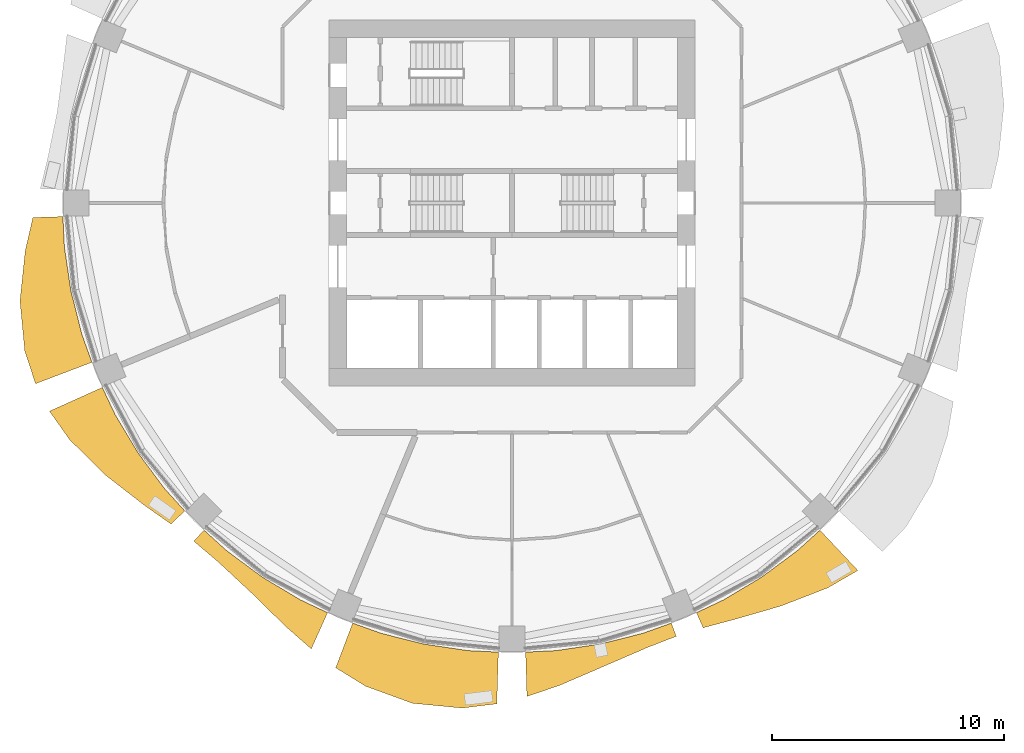
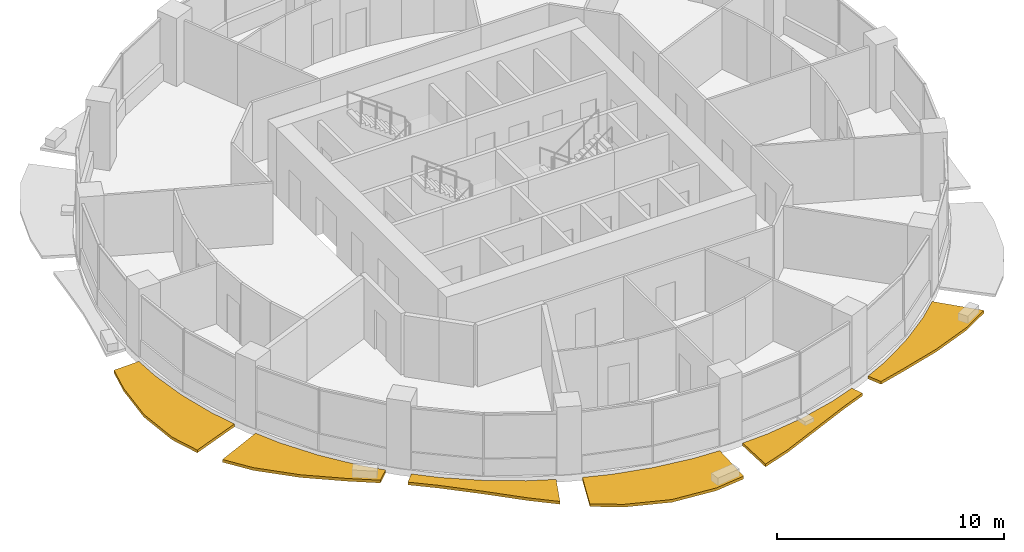
# One storey, part 12 of 15: 6 shading devices.
"""IFC4 building model written with IfcOpenShell, lengths in metres."""

from ifc_helpers import new_model, si_unit, direction, frame, origin, place, context, subcontext, project, spatial, polyline, outline, extrude, material, type_object, element, save


model = new_model("IFC4")

# Units and contexts
model_context = context("Model", 3, precision=1e-05, world=origin(), true_north=direction((0.0, 1.0)))
body_context = subcontext(model_context, "Body", "Model", "MODEL_VIEW")
ifc_project = project(units=[si_unit("LENGTHUNIT", "METRE"), si_unit("AREAUNIT", "SQUARE_METRE"), si_unit("VOLUMEUNIT", "CUBIC_METRE"), si_unit("PLANEANGLEUNIT", "RADIAN"), si_unit("MASSUNIT", "GRAM", prefix="KILO")], contexts=[model_context])

# Site, building, storey
site_placement = place(None, origin())
site = spatial("IfcSite", under=ifc_project, at=site_placement, CompositionType="ELEMENT")
building_placement = place(site_placement, origin())
building = spatial("IfcBuilding", under=site, at=building_placement, Name="Polderwave Tower", CompositionType="ELEMENT")
storey_placement = place(building_placement, frame((0.0, 0.0, 87.35009765625)))
storey = spatial("IfcBuildingStorey", under=building, at=storey_placement, Name="L22", CompositionType="ELEMENT", Elevation=87.35009765625)

# Shading devices
ifc_material = material(Name="Terracotta", Category="masonry")
shading_device_type = type_object("IfcShadingDeviceType", Name="Terracotta sunshade band", PredefinedType="USERDEFINED", material=ifc_material)
shading_device_1_placement = place(storey_placement, frame((0.0, 0.0, -0.35009765625)))
element("IfcShadingDevice", 1, at=shading_device_1_placement, inside=storey, type_object=shading_device_type, Name="Sunshade band L22 9", ObjectType="SUNSHADE", PredefinedType="USERDEFINED", context=body_context, shape_type="SweptSolid", body=[
    extrude(outline(polyline([(-19.3212890625, -0.583984375), (-19.2568359375, -1.896484375), (-18.978271484375, -3.77490234375), (-18.516845703125, -5.616943359375), (-18.073974609375, -6.8544921875), (-20.49951171875, -7.7744140625), (-20.962646484375, -6.35888671875), (-21.1669921875, -4.21044921875), (-20.943115234375, -2.062744140625), (-20.612548828125, -0.622802734375), (-19.3212890625, -0.583984375)])), origin(), (0.0, 0.0, 1.0), 0.14990234375),
])
shading_device_2_placement = place(storey_placement, frame((0.0, 0.0, -0.35009765625)))
element("IfcShadingDevice", 2, at=shading_device_2_placement, inside=storey, type_object=shading_device_type, Name="Sunshade band L22 10", ObjectType="SUNSHADE", PredefinedType="USERDEFINED", context=body_context, shape_type="SweptSolid", body=[
    extrude(outline(polyline([(-17.627197265625, -7.933349609375), (-17.065185546875, -9.12158203125), (-16.0888671875, -10.750244140625), (-14.957763671875, -12.275390625), (-14.0751953125, -13.24951171875), (-14.672119140625, -13.811279296875), (-15.83251953125, -12.993408203125), (-17.503662109375, -11.695556640625), (-19.0380859375, -10.176025390625), (-19.898193359375, -8.95556640625), (-17.627197265625, -7.933349609375)])), origin(), (0.0, 0.0, 1.0), 0.14990234375),
])
shading_device_3_placement = place(storey_placement, frame((0.0, 0.0, -0.35009765625)))
element("IfcShadingDevice", 3, at=shading_device_3_placement, inside=storey, type_object=shading_device_type, Name="Sunshade band L22 11", ObjectType="SUNSHADE", PredefinedType="USERDEFINED", context=body_context, shape_type="SweptSolid", body=[
    extrude(outline(polyline([(-13.24951171875, -14.0751953125), (-12.275390625, -14.957763671875), (-10.750244140625, -16.0888671875), (-9.12158203125, -17.065185546875), (-7.933349609375, -17.627197265625), (-8.635009765625, -19.18603515625), (-9.7373046875, -18.21728515625), (-11.20849609375, -16.774658203125), (-12.658935546875, -15.425048828125), (-13.694091796875, -14.54736328125), (-13.24951171875, -14.0751953125)])), origin(), (0.0, 0.0, 1.0), 0.14990234375),
])
shading_device_4_placement = place(storey_placement, frame((0.0, 0.0, -0.35009765625)))
element("IfcShadingDevice", 4, at=shading_device_4_placement, inside=storey, type_object=shading_device_type, Name="Sunshade band L22 12", ObjectType="SUNSHADE", PredefinedType="USERDEFINED", context=body_context, shape_type="SweptSolid", body=[
    extrude(outline(polyline([(-6.8544921875, -18.073974609375), (-5.616943359375, -18.516845703125), (-3.77490234375, -18.978271484375), (-1.896484375, -19.2568359375), (-0.583984375, -19.3212890625), (-0.651123046875, -21.545654296875), (-2.14013671875, -21.728515625), (-4.28125, -21.523193359375), (-6.30517578125, -20.785400390625), (-7.583251953125, -19.995361328125), (-6.8544921875, -18.073974609375)])), origin(), (0.0, 0.0, 1.0), 0.14990234375),
])
shading_device_5_placement = place(storey_placement, frame((0.0, 0.0, -0.35009765625)))
element("IfcShadingDevice", 5, at=shading_device_5_placement, inside=storey, type_object=shading_device_type, Name="Sunshade band L22 13", ObjectType="SUNSHADE", PredefinedType="USERDEFINED", context=body_context, shape_type="SweptSolid", body=[
    extrude(outline(polyline([(0.583984375, -19.3212890625), (1.896484375, -19.2568359375), (3.77490234375, -18.978271484375), (5.616943359375, -18.516845703125), (6.8544921875, -18.073974609375), (7.0693359375, -18.640625), (5.803955078125, -19.13330078125), (3.9638671875, -19.927978515625), (2.044189453125, -20.755126953125), (0.6416015625, -21.228515625), (0.583984375, -19.3212890625)])), origin(), (0.0, 0.0, 1.0), 0.14990234375),
])
shading_device_6_placement = place(storey_placement, frame((0.0, 0.0, -0.35009765625)))
element("IfcShadingDevice", 6, at=shading_device_6_placement, inside=storey, type_object=shading_device_type, Name="Sunshade band L22 14", ObjectType="SUNSHADE", PredefinedType="USERDEFINED", context=body_context, shape_type="SweptSolid", body=[
    extrude(outline(polyline([(7.933349609375, -17.627197265625), (9.12158203125, -17.065185546875), (10.750244140625, -16.0888671875), (12.275390625, -14.957763671875), (13.24951171875, -14.0751953125), (14.880859375, -15.808349609375), (13.587646484375, -16.556396484375), (11.582763671875, -17.334716796875), (9.575439453125, -17.914306640625), (8.224609375, -18.274169921875), (7.933349609375, -17.627197265625)])), origin(), (0.0, 0.0, 1.0), 0.14990234375),
])

save(model, "model.ifc")
